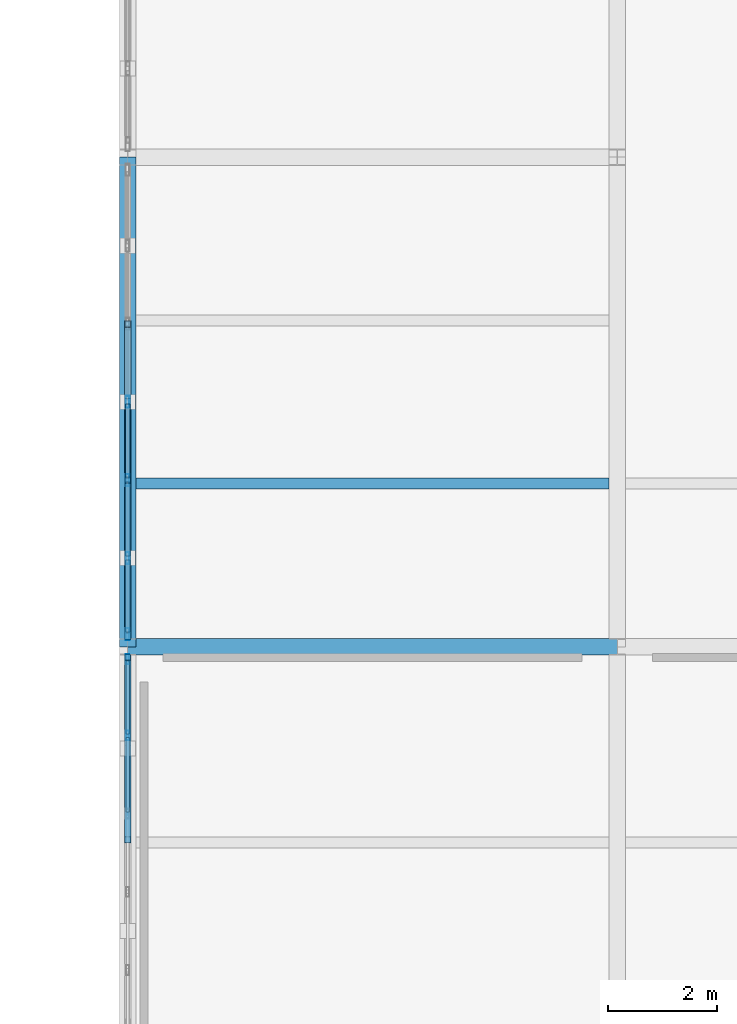
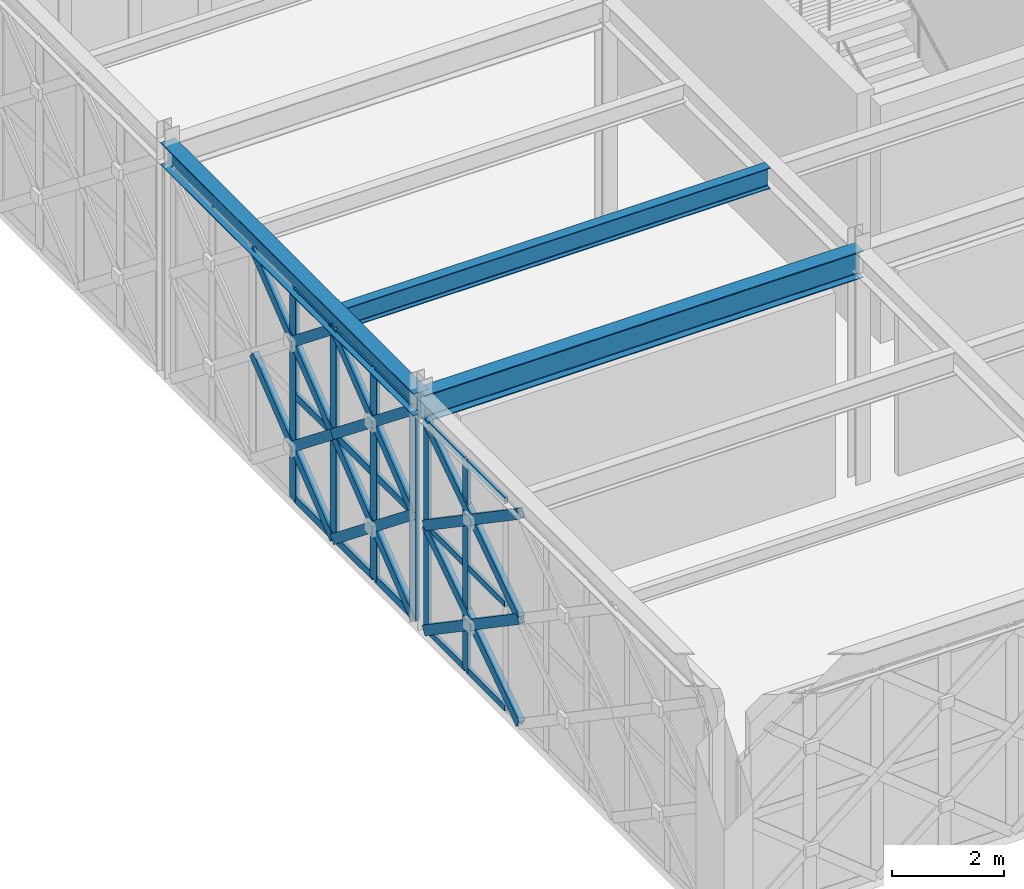
# One storey, part 35 of 155: 37 members, 3 beams, 2 elements without a shape of their own.
"""IFC4 building model written with IfcOpenShell, lengths in metres."""

from ifc_helpers import new_model, si_unit, direction, frame, origin, origin_2d, place, context, subcontext, project, spatial, hollow_rectangle, i_section, extrude, material, material_profile, profile_set, type_object, element, aggregate, save


model = new_model("IFC4")

# Units and contexts
model_context = context("Model", 3, precision=1e-05, world=origin(), true_north=direction((0.0, 1.0)))
body_context = subcontext(model_context, "Body", "Model", "MODEL_VIEW")
ifc_project = project(units=[si_unit("LENGTHUNIT", "METRE"), si_unit("AREAUNIT", "SQUARE_METRE"), si_unit("VOLUMEUNIT", "CUBIC_METRE"), si_unit("PLANEANGLEUNIT", "RADIAN"), si_unit("MASSUNIT", "GRAM", prefix="KILO")], contexts=[model_context])

# Site, building, storey
site_placement = place(None, origin())
site = spatial("IfcSite", under=ifc_project, at=site_placement, CompositionType="ELEMENT")
building_placement = place(site_placement, origin())
building = spatial("IfcBuilding", under=site, at=building_placement, Name="Haizhuo Lancet Aquarium", CompositionType="ELEMENT")
storey_placement = place(building_placement, frame((0.0, 0.0, 10.800048828125)))
storey = spatial("IfcBuildingStorey", under=building, at=storey_placement, Name="L02", CompositionType="ELEMENT", Elevation=10.800048828125)

# Beams
ifc_material_1 = material(Name="Steel S355", Category="steel")
ifc_material_profile_1 = material_profile(ifc_material_1, i_section(OverallWidth=0.300048828125, OverallDepth=0.488037109375, WebThickness=0.010986328125, FlangeThickness=0.01806640625, FilletRadius=0.02392578125, at=origin_2d()), Name="HM 488x300x11x18")
ifc_profile_set_1 = profile_set([ifc_material_profile_1], Name="Steel S355")
beam_type_1 = type_object("IfcBeamType", Name="BM-ST-HM488", PredefinedType="BEAM", material=ifc_profile_set_1)
beam_1_placement = place(storey_placement, frame((-18.0, -45.0, 4.805908203125), z_axis=(0.0, 1.0, 0.0), x_axis=(-1.0, 0.0, 0.0)))
element("IfcBeam", 1, at=beam_1_placement, inside=storey, type_object=beam_type_1, Name="L02 V4 primary girder BM-L02-V4-003", PredefinedType="BEAM", context=body_context, shape_type="SweptSolid", body=[
    extrude(i_section(OverallWidth=0.300048828125, OverallDepth=0.488037109375, WebThickness=0.010986328125, FlangeThickness=0.01806640625, FilletRadius=0.02392578125, at=origin_2d()), origin(), (0.0, 0.0, 1.0), 9.0),
])
ifc_material_profile_2 = material_profile(ifc_material_1, i_section(OverallWidth=0.300048828125, OverallDepth=0.587890625, WebThickness=0.011962890625, FlangeThickness=0.02001953125, FilletRadius=0.02587890625, at=origin_2d()), Name="HM 588x300x12x20")
ifc_profile_set_2 = profile_set([ifc_material_profile_2], Name="Steel S355")
beam_type_2 = type_object("IfcBeamType", Name="BM-ST-HM588", PredefinedType="BEAM", material=ifc_profile_set_2)
beam_2_placement = place(storey_placement, frame((-18.0, -45.0, 4.755859375), z_axis=(1.0, 0.0, 0.0), x_axis=(0.0, 1.0, 0.0)))
element("IfcBeam", 2, at=beam_2_placement, inside=storey, type_object=beam_type_2, Name="L02 V4 primary girder BM-L02-V4-004", PredefinedType="BEAM", context=body_context, shape_type="SweptSolid", body=[
    extrude(i_section(OverallWidth=0.300048828125, OverallDepth=0.587890625, WebThickness=0.011962890625, FlangeThickness=0.02001953125, FilletRadius=0.02587890625, at=origin_2d()), origin(), (0.0, 0.0, 1.0), 9.0),
])

# Curtain wall, members
ifc_material_2 = material(Name="Aluminium 6063-T6", Category="aluminium")
curtain_wall_type_1 = type_object("IfcCurtainWallType", Name="CWO-10060x4560", PredefinedType="NOTDEFINED", material=ifc_material_2)
curtain_wall_1_placement = place(storey_placement, origin())
curtain_wall_1 = element("IfcCurtainWall", 3, at=curtain_wall_1_placement, inside=storey, type_object=curtain_wall_type_1, Name="L02 curtain wall CW-V4-L02-112", PredefinedType="NOTDEFINED")
ifc_material_profile_3 = material_profile(ifc_material_2, hollow_rectangle(XDim=0.06494140625, YDim=0.179931640625, WallThickness=0.00390625, at=origin_2d()), Name="ALU-M 65x180x4")
ifc_profile_set_3 = profile_set([ifc_material_profile_3], Name="Aluminium 6063-T6")
member_type_1 = type_object("IfcMemberType", Name="CW-MUL-1", PredefinedType="MULLION", material=ifc_profile_set_3)
member_1_placement = place(storey_placement, frame((-18.0, -46.632080078125, 0.0), z_axis=(0.0, 0.0, 1.0), x_axis=(-1.0, 0.0, 0.0)))
member_1 = element("IfcMember", 4, at=member_1_placement, type_object=member_type_1, Name="CWO-100x45 mullion 7", PredefinedType="MULLION", context=body_context, shape_type="SweptSolid", body=[
    extrude(hollow_rectangle(XDim=0.06494140625, YDim=0.179931640625, WallThickness=0.00390625, at=origin_2d()), origin(), (0.0, 0.0, 1.0), 4.56201171875),
])
member_2_placement = place(storey_placement, frame((-18.0, -45.22705078125, 0.0), z_axis=(0.0, 0.0, 1.0), x_axis=(-1.0, 0.0, 0.0)))
member_2 = element("IfcMember", 5, at=member_2_placement, type_object=member_type_1, Name="CWO-100x45 mullion 8", PredefinedType="MULLION", context=body_context, shape_type="SweptSolid", body=[
    extrude(hollow_rectangle(XDim=0.06494140625, YDim=0.179931640625, WallThickness=0.00390625, at=origin_2d()), origin(), (0.0, 0.0, 1.0), 4.56201171875),
])

curtain_wall_type_2 = type_object("IfcCurtainWallType", Name="CWO-8610x4560", PredefinedType="NOTDEFINED", material=ifc_material_2)
curtain_wall_2_placement = place(storey_placement, origin())
curtain_wall_2 = element("IfcCurtainWall", 6, at=curtain_wall_2_placement, inside=storey, type_object=curtain_wall_type_2, Name="L02 curtain wall CW-V4-L02-113", PredefinedType="NOTDEFINED")
ifc_material_profile_4 = material_profile(ifc_material_2, hollow_rectangle(XDim=0.074951171875, YDim=0.219970703125, WallThickness=0.0048828125, at=origin_2d()), Name="ALU-M 75x220x5")
ifc_profile_set_4 = profile_set([ifc_material_profile_4], Name="Aluminium 6063-T6")
member_type_2 = type_object("IfcMemberType", Name="CW-MUL-2", PredefinedType="MULLION", material=ifc_profile_set_4)
member_3_placement = place(storey_placement, frame((-18.0, -44.76708984375, 0.0), z_axis=(0.0, 0.0, 1.0), x_axis=(-1.0, 0.0, 0.0)))
member_3 = element("IfcMember", 7, at=member_3_placement, type_object=member_type_2, Name="CWO-86x45 mullion 1", PredefinedType="MULLION", context=body_context, shape_type="SweptSolid", body=[
    extrude(hollow_rectangle(XDim=0.074951171875, YDim=0.219970703125, WallThickness=0.0048828125, at=origin_2d()), origin(), (0.0, 0.0, 1.0), 4.56201171875),
])
member_4_placement = place(storey_placement, frame((-18.0, -43.3701171875, 0.0), z_axis=(0.0, 0.0, 1.0), x_axis=(-1.0, 0.0, 0.0)))
member_4 = element("IfcMember", 8, at=member_4_placement, type_object=member_type_2, Name="CWO-86x45 mullion 2", PredefinedType="MULLION", context=body_context, shape_type="SweptSolid", body=[
    extrude(hollow_rectangle(XDim=0.074951171875, YDim=0.219970703125, WallThickness=0.0048828125, at=origin_2d()), origin(), (0.0, 0.0, 1.0), 4.56201171875),
])
member_5_placement = place(storey_placement, frame((-18.0, -41.93505859375, 0.0), z_axis=(0.0, 0.0, 1.0), x_axis=(-1.0, 0.0, 0.0)))
member_5 = element("IfcMember", 9, at=member_5_placement, type_object=member_type_2, Name="CWO-86x45 mullion 3", PredefinedType="MULLION", context=body_context, shape_type="SweptSolid", body=[
    extrude(hollow_rectangle(XDim=0.074951171875, YDim=0.219970703125, WallThickness=0.0048828125, at=origin_2d()), origin(), (0.0, 0.0, 1.0), 4.56201171875),
])
member_6_placement = place(storey_placement, frame((-18.0, -40.5, 0.0), z_axis=(0.0, 0.0, 1.0), x_axis=(-1.0, 0.0, 0.0)))
member_6 = element("IfcMember", 10, at=member_6_placement, type_object=member_type_2, Name="CWO-86x45 mullion 4", PredefinedType="MULLION", context=body_context, shape_type="SweptSolid", body=[
    extrude(hollow_rectangle(XDim=0.074951171875, YDim=0.219970703125, WallThickness=0.0048828125, at=origin_2d()), origin(), (0.0, 0.0, 1.0), 4.56201171875),
])

# Member
ifc_material_profile_5 = material_profile(ifc_material_2, hollow_rectangle(XDim=0.06494140625, YDim=0.139892578125, WallThickness=0.00390625, at=origin_2d()), Name="ALU-T 65x140x4")
ifc_profile_set_5 = profile_set([ifc_material_profile_5], Name="Aluminium 6063-T6")
member_type_3 = type_object("IfcMemberType", Name="CW-TRN-1", PredefinedType="NOTDEFINED", material=ifc_profile_set_5)
member_7_placement = place(storey_placement, frame((-18.0, -48.037109375, 0.032958984375), z_axis=(0.0, 1.0, 0.0), x_axis=(-1.0, 0.0, 0.0)))
member_7 = element("IfcMember", 11, at=member_7_placement, type_object=member_type_3, Name="CWO-100x45 transom 6.1", ObjectType="TRANSOM", PredefinedType="USERDEFINED", context=body_context, shape_type="SweptSolid", body=[
    extrude(hollow_rectangle(XDim=0.06494140625, YDim=0.139892578125, WallThickness=0.00390625, at=origin_2d()), origin(), (0.0, 0.0, 1.0), 1.3720703125),
])

member_8_placement = place(storey_placement, frame((-18.0, -48.037109375, 2.281005859375), z_axis=(0.0, 1.0, 0.0), x_axis=(-1.0, 0.0, 0.0)))
member_8 = element("IfcMember", 12, at=member_8_placement, type_object=member_type_3, Name="CWO-100x45 transom 6.2", ObjectType="TRANSOM", PredefinedType="USERDEFINED", context=body_context, shape_type="SweptSolid", body=[
    extrude(hollow_rectangle(XDim=0.06494140625, YDim=0.139892578125, WallThickness=0.00390625, at=origin_2d()), origin(), (0.0, 0.0, 1.0), 1.3720703125),
])

member_9_placement = place(storey_placement, frame((-18.0, -48.037109375, 4.529052734375), z_axis=(0.0, 1.0, 0.0), x_axis=(-1.0, 0.0, 0.0)))
member_9 = element("IfcMember", 13, at=member_9_placement, type_object=member_type_3, Name="CWO-100x45 transom 6.3", ObjectType="TRANSOM", PredefinedType="USERDEFINED", context=body_context, shape_type="SweptSolid", body=[
    extrude(hollow_rectangle(XDim=0.06494140625, YDim=0.139892578125, WallThickness=0.00390625, at=origin_2d()), origin(), (0.0, 0.0, 1.0), 1.3720703125),
])

member_10_placement = place(storey_placement, frame((-18.0, -46.60009765625, 0.032958984375), z_axis=(0.0, 1.0, 0.0), x_axis=(-1.0, 0.0, 0.0)))
member_10 = element("IfcMember", 14, at=member_10_placement, type_object=member_type_3, Name="CWO-100x45 transom 7.1", ObjectType="TRANSOM", PredefinedType="USERDEFINED", context=body_context, shape_type="SweptSolid", body=[
    extrude(hollow_rectangle(XDim=0.06494140625, YDim=0.139892578125, WallThickness=0.00390625, at=origin_2d()), origin(), (0.0, 0.0, 1.0), 1.340087890625),
])

member_11_placement = place(storey_placement, frame((-18.0, -46.60009765625, 2.281005859375), z_axis=(0.0, 1.0, 0.0), x_axis=(-1.0, 0.0, 0.0)))
member_11 = element("IfcMember", 15, at=member_11_placement, type_object=member_type_3, Name="CWO-100x45 transom 7.2", ObjectType="TRANSOM", PredefinedType="USERDEFINED", context=body_context, shape_type="SweptSolid", body=[
    extrude(hollow_rectangle(XDim=0.06494140625, YDim=0.139892578125, WallThickness=0.00390625, at=origin_2d()), origin(), (0.0, 0.0, 1.0), 1.340087890625),
])

member_12_placement = place(storey_placement, frame((-18.0, -46.60009765625, 4.529052734375), z_axis=(0.0, 1.0, 0.0), x_axis=(-1.0, 0.0, 0.0)))
member_12 = element("IfcMember", 16, at=member_12_placement, type_object=member_type_3, Name="CWO-100x45 transom 7.3", ObjectType="TRANSOM", PredefinedType="USERDEFINED", context=body_context, shape_type="SweptSolid", body=[
    extrude(hollow_rectangle(XDim=0.06494140625, YDim=0.139892578125, WallThickness=0.00390625, at=origin_2d()), origin(), (0.0, 0.0, 1.0), 1.340087890625),
])

aggregate(curtain_wall_1, [member_1, member_2, member_7, member_8, member_9, member_10, member_11, member_12])

ifc_material_profile_6 = material_profile(ifc_material_2, hollow_rectangle(XDim=0.074951171875, YDim=0.159912109375, WallThickness=0.00390625, at=origin_2d()), Name="ALU-T 75x160x4")
ifc_profile_set_6 = profile_set([ifc_material_profile_6], Name="Aluminium 6063-T6")
member_type_4 = type_object("IfcMemberType", Name="CW-TRN-2", PredefinedType="NOTDEFINED", material=ifc_profile_set_6)
member_13_placement = place(storey_placement, frame((-18.0, -44.72998046875, 0.037841796875), z_axis=(0.0, 1.0, 0.0), x_axis=(-1.0, 0.0, 0.0)))
member_13 = element("IfcMember", 17, at=member_13_placement, type_object=member_type_4, Name="CWO-86x45 transom 1.1", ObjectType="TRANSOM", PredefinedType="USERDEFINED", context=body_context, shape_type="SweptSolid", body=[
    extrude(hollow_rectangle(XDim=0.074951171875, YDim=0.159912109375, WallThickness=0.00390625, at=origin_2d()), origin(), (0.0, 0.0, 1.0), 1.322998046875),
])

member_14_placement = place(storey_placement, frame((-18.0, -44.72998046875, 2.281005859375), z_axis=(0.0, 1.0, 0.0), x_axis=(-1.0, 0.0, 0.0)))
member_14 = element("IfcMember", 18, at=member_14_placement, type_object=member_type_4, Name="CWO-86x45 transom 1.2", ObjectType="TRANSOM", PredefinedType="USERDEFINED", context=body_context, shape_type="SweptSolid", body=[
    extrude(hollow_rectangle(XDim=0.074951171875, YDim=0.159912109375, WallThickness=0.00390625, at=origin_2d()), origin(), (0.0, 0.0, 1.0), 1.322998046875),
])

member_15_placement = place(storey_placement, frame((-18.0, -44.72998046875, 4.52490234375), z_axis=(0.0, 1.0, 0.0), x_axis=(-1.0, 0.0, 0.0)))
member_15 = element("IfcMember", 19, at=member_15_placement, type_object=member_type_4, Name="CWO-86x45 transom 1.3", ObjectType="TRANSOM", PredefinedType="USERDEFINED", context=body_context, shape_type="SweptSolid", body=[
    extrude(hollow_rectangle(XDim=0.074951171875, YDim=0.159912109375, WallThickness=0.00390625, at=origin_2d()), origin(), (0.0, 0.0, 1.0), 1.322998046875),
])

member_16_placement = place(storey_placement, frame((-18.0, -43.3330078125, 0.037841796875), z_axis=(0.0, 1.0, 0.0), x_axis=(-1.0, 0.0, 0.0)))
member_16 = element("IfcMember", 20, at=member_16_placement, type_object=member_type_4, Name="CWO-86x45 transom 2.1", ObjectType="TRANSOM", PredefinedType="USERDEFINED", context=body_context, shape_type="SweptSolid", body=[
    extrude(hollow_rectangle(XDim=0.074951171875, YDim=0.159912109375, WallThickness=0.00390625, at=origin_2d()), origin(), (0.0, 0.0, 1.0), 1.361083984375),
])

member_17_placement = place(storey_placement, frame((-18.0, -43.3330078125, 2.281005859375), z_axis=(0.0, 1.0, 0.0), x_axis=(-1.0, 0.0, 0.0)))
member_17 = element("IfcMember", 21, at=member_17_placement, type_object=member_type_4, Name="CWO-86x45 transom 2.2", ObjectType="TRANSOM", PredefinedType="USERDEFINED", context=body_context, shape_type="SweptSolid", body=[
    extrude(hollow_rectangle(XDim=0.074951171875, YDim=0.159912109375, WallThickness=0.00390625, at=origin_2d()), origin(), (0.0, 0.0, 1.0), 1.361083984375),
])

member_18_placement = place(storey_placement, frame((-18.0, -43.3330078125, 4.52490234375), z_axis=(0.0, 1.0, 0.0), x_axis=(-1.0, 0.0, 0.0)))
member_18 = element("IfcMember", 22, at=member_18_placement, type_object=member_type_4, Name="CWO-86x45 transom 2.3", ObjectType="TRANSOM", PredefinedType="USERDEFINED", context=body_context, shape_type="SweptSolid", body=[
    extrude(hollow_rectangle(XDim=0.074951171875, YDim=0.159912109375, WallThickness=0.00390625, at=origin_2d()), origin(), (0.0, 0.0, 1.0), 1.361083984375),
])

member_19_placement = place(storey_placement, frame((-18.0, -41.89794921875, 0.037841796875), z_axis=(0.0, 1.0, 0.0), x_axis=(-1.0, 0.0, 0.0)))
member_19 = element("IfcMember", 23, at=member_19_placement, type_object=member_type_4, Name="CWO-86x45 transom 3.1", ObjectType="TRANSOM", PredefinedType="USERDEFINED", context=body_context, shape_type="SweptSolid", body=[
    extrude(hollow_rectangle(XDim=0.074951171875, YDim=0.159912109375, WallThickness=0.00390625, at=origin_2d()), origin(), (0.0, 0.0, 1.0), 1.35986328125),
])

member_20_placement = place(storey_placement, frame((-18.0, -41.89794921875, 2.281005859375), z_axis=(0.0, 1.0, 0.0), x_axis=(-1.0, 0.0, 0.0)))
member_20 = element("IfcMember", 24, at=member_20_placement, type_object=member_type_4, Name="CWO-86x45 transom 3.2", ObjectType="TRANSOM", PredefinedType="USERDEFINED", context=body_context, shape_type="SweptSolid", body=[
    extrude(hollow_rectangle(XDim=0.074951171875, YDim=0.159912109375, WallThickness=0.00390625, at=origin_2d()), origin(), (0.0, 0.0, 1.0), 1.35986328125),
])

member_21_placement = place(storey_placement, frame((-18.0, -41.89794921875, 4.52490234375), z_axis=(0.0, 1.0, 0.0), x_axis=(-1.0, 0.0, 0.0)))
member_21 = element("IfcMember", 25, at=member_21_placement, type_object=member_type_4, Name="CWO-86x45 transom 3.3", ObjectType="TRANSOM", PredefinedType="USERDEFINED", context=body_context, shape_type="SweptSolid", body=[
    extrude(hollow_rectangle(XDim=0.074951171875, YDim=0.159912109375, WallThickness=0.00390625, at=origin_2d()), origin(), (0.0, 0.0, 1.0), 1.35986328125),
])

aggregate(curtain_wall_2, [member_3, member_4, member_5, member_6, member_13, member_14, member_15, member_16, member_17, member_18, member_19, member_20, member_21])

# Beam
ifc_material_profile_7 = material_profile(ifc_material_1, i_section(OverallWidth=0.199951171875, OverallDepth=0.449951171875, WebThickness=0.009033203125, FlangeThickness=0.013916015625, FilletRadius=0.01806640625, at=origin_2d()), Name="HN 450x200x9x14")
ifc_profile_set_7 = profile_set([ifc_material_profile_7], Name="Steel S355")
beam_type_3 = type_object("IfcBeamType", Name="JST-ST-HN450", PredefinedType="JOIST", material=ifc_profile_set_7)
beam_3_placement = place(storey_placement, frame((-17.85009765625, -42.0, 4.824951171875), z_axis=(1.0, 0.0, 0.0), x_axis=(0.0, 1.0, 0.0)))
element("IfcBeam", 26, at=beam_3_placement, inside=storey, type_object=beam_type_3, Name="L02 V4 secondary floor joist 3", PredefinedType="JOIST", context=body_context, shape_type="SweptSolid", body=[
    extrude(i_section(OverallWidth=0.199951171875, OverallDepth=0.449951171875, WebThickness=0.009033203125, FlangeThickness=0.013916015625, FilletRadius=0.01806640625, at=origin_2d()), origin(), (0.0, 0.0, 1.0), 8.7001953125),
])

# Members
ifc_material_profile_8 = material_profile(ifc_material_1, hollow_rectangle(XDim=0.1201171875, YDim=0.199951171875, WallThickness=0.008056640625, at=origin_2d()), Name="RHS 120x200x8")
ifc_profile_set_8 = profile_set([ifc_material_profile_8], Name="Steel S355")
member_type_5 = type_object("IfcMemberType", Name="MEM-LB-RHS120x200", PredefinedType="BRACE", material=ifc_profile_set_8)
member_22_placement = place(storey_placement, frame((-18.0, -48.548095703125, 0.0), z_axis=(0.0, 0.826817872277, 0.562469737927), x_axis=(-1.0, 0.0, 0.0)))
element("IfcMember", 27, at=member_22_placement, inside=storey, type_object=member_type_5, Name="Gothic lancet continuous diagonal brace CW-V4-L02-112 5A", PredefinedType="BRACE", context=body_context, shape_type="SweptSolid", body=[
    extrude(hollow_rectangle(XDim=0.1201171875, YDim=0.199951171875, WallThickness=0.008056640625, at=origin_2d()), origin(), (0.0, 0.0, 1.0), 4.055419921875),
])
member_23_placement = place(storey_placement, frame((-18.0, -45.195068359375, 0.0), z_axis=(0.0, -0.82665764484, 0.562705196553), x_axis=(1.0, 0.0, 0.0)))
element("IfcMember", 28, at=member_23_placement, inside=storey, type_object=member_type_5, Name="Gothic lancet split diagonal brace CW-V4-L02-112 5B1", PredefinedType="BRACE", context=body_context, shape_type="SweptSolid", body=[
    extrude(hollow_rectangle(XDim=0.1201171875, YDim=0.199951171875, WallThickness=0.008056640625, at=origin_2d()), origin(), (0.0, 0.0, 1.0), 2.027587890625),
])
member_24_placement = place(storey_placement, frame((-18.0, -46.87109375, 1.140869140625), z_axis=(0.0, -0.82697800142, 0.562234279609), x_axis=(1.0, 0.0, 0.0)))
element("IfcMember", 29, at=member_24_placement, inside=storey, type_object=member_type_5, Name="Gothic lancet split diagonal brace CW-V4-L02-112 5B2", PredefinedType="BRACE", context=body_context, shape_type="SweptSolid", body=[
    extrude(hollow_rectangle(XDim=0.1201171875, YDim=0.199951171875, WallThickness=0.008056640625, at=origin_2d()), origin(), (0.0, 0.0, 1.0), 2.02783203125),
])
member_25_placement = place(storey_placement, frame((-18.0, -48.548095703125, 2.281005859375), z_axis=(0.0, 0.826817872277, 0.562469737927), x_axis=(-1.0, 0.0, 0.0)))
element("IfcMember", 30, at=member_25_placement, inside=storey, type_object=member_type_5, Name="Gothic lancet continuous diagonal brace CW-V4-L02-112 6A", PredefinedType="BRACE", context=body_context, shape_type="SweptSolid", body=[
    extrude(hollow_rectangle(XDim=0.1201171875, YDim=0.199951171875, WallThickness=0.008056640625, at=origin_2d()), origin(), (0.0, 0.0, 1.0), 4.055419921875),
])
member_26_placement = place(storey_placement, frame((-18.0, -45.195068359375, 2.281005859375), z_axis=(0.0, -0.826881693508, 0.562375910705), x_axis=(1.0, 0.0, 0.0)))
element("IfcMember", 31, at=member_26_placement, inside=storey, type_object=member_type_5, Name="Gothic lancet split diagonal brace CW-V4-L02-112 6B1", PredefinedType="BRACE", context=body_context, shape_type="SweptSolid", body=[
    extrude(hollow_rectangle(XDim=0.1201171875, YDim=0.199951171875, WallThickness=0.008056640625, at=origin_2d()), origin(), (0.0, 0.0, 1.0), 2.02685546875),
])
member_27_placement = place(storey_placement, frame((-18.0, -46.87109375, 3.4208984375), z_axis=(0.0, -0.826754087419, 0.562563488804), x_axis=(1.0, 0.0, 0.0)))
element("IfcMember", 32, at=member_27_placement, inside=storey, type_object=member_type_5, Name="Gothic lancet split diagonal brace CW-V4-L02-112 6B2", PredefinedType="BRACE", context=body_context, shape_type="SweptSolid", body=[
    extrude(hollow_rectangle(XDim=0.1201171875, YDim=0.199951171875, WallThickness=0.008056640625, at=origin_2d()), origin(), (0.0, 0.0, 1.0), 2.0283203125),
])
member_28_placement = place(storey_placement, frame((-18.0, -44.804931640625, 0.0), z_axis=(0.0, 0.78284654434, 0.622214824651), x_axis=(-1.0, 0.0, 0.0)))
element("IfcMember", 33, at=member_28_placement, inside=storey, type_object=member_type_5, Name="Gothic lancet continuous diagonal brace CW-V4-L02-113 1A", PredefinedType="BRACE", context=body_context, shape_type="SweptSolid", body=[
    extrude(hollow_rectangle(XDim=0.1201171875, YDim=0.199951171875, WallThickness=0.008056640625, at=origin_2d()), origin(), (0.0, 0.0, 1.0), 3.666015625),
])
member_29_placement = place(storey_placement, frame((-18.0, -41.93505859375, 0.0), z_axis=(0.0, -0.78277501707, 0.622304806868), x_axis=(1.0, 0.0, 0.0)))
element("IfcMember", 34, at=member_29_placement, inside=storey, type_object=member_type_5, Name="Gothic lancet split diagonal brace CW-V4-L02-113 1B1", PredefinedType="BRACE", context=body_context, shape_type="SweptSolid", body=[
    extrude(hollow_rectangle(XDim=0.1201171875, YDim=0.199951171875, WallThickness=0.008056640625, at=origin_2d()), origin(), (0.0, 0.0, 1.0), 1.833251953125),
])
member_30_placement = place(storey_placement, frame((-18.0, -43.3701171875, 1.140869140625), z_axis=(0.0, -0.782918086507, 0.622124802448), x_axis=(1.0, 0.0, 0.0)))
element("IfcMember", 35, at=member_30_placement, inside=storey, type_object=member_type_5, Name="Gothic lancet split diagonal brace CW-V4-L02-113 1B2", PredefinedType="BRACE", context=body_context, shape_type="SweptSolid", body=[
    extrude(hollow_rectangle(XDim=0.1201171875, YDim=0.199951171875, WallThickness=0.008056640625, at=origin_2d()), origin(), (0.0, 0.0, 1.0), 1.832763671875),
])
member_31_placement = place(storey_placement, frame((-18.0, -44.804931640625, 2.281005859375), z_axis=(0.0, 0.78284654434, 0.622214824651), x_axis=(-1.0, 0.0, 0.0)))
element("IfcMember", 36, at=member_31_placement, inside=storey, type_object=member_type_5, Name="Gothic lancet continuous diagonal brace CW-V4-L02-113 2A", PredefinedType="BRACE", context=body_context, shape_type="SweptSolid", body=[
    extrude(hollow_rectangle(XDim=0.1201171875, YDim=0.199951171875, WallThickness=0.008056640625, at=origin_2d()), origin(), (0.0, 0.0, 1.0), 3.666015625),
])
member_32_placement = place(storey_placement, frame((-18.0, -41.93505859375, 2.281005859375), z_axis=(0.0, -0.783034517143, 0.621978251198), x_axis=(1.0, 0.0, 0.0)))
element("IfcMember", 37, at=member_32_placement, inside=storey, type_object=member_type_5, Name="Gothic lancet split diagonal brace CW-V4-L02-113 2B1", PredefinedType="BRACE", context=body_context, shape_type="SweptSolid", body=[
    extrude(hollow_rectangle(XDim=0.1201171875, YDim=0.199951171875, WallThickness=0.008056640625, at=origin_2d()), origin(), (0.0, 0.0, 1.0), 1.832763671875),
])
member_33_placement = place(storey_placement, frame((-18.0, -43.3701171875, 3.4208984375), z_axis=(0.0, -0.782658558378, 0.62245126797), x_axis=(1.0, 0.0, 0.0)))
element("IfcMember", 38, at=member_33_placement, inside=storey, type_object=member_type_5, Name="Gothic lancet split diagonal brace CW-V4-L02-113 2B2", PredefinedType="BRACE", context=body_context, shape_type="SweptSolid", body=[
    extrude(hollow_rectangle(XDim=0.1201171875, YDim=0.199951171875, WallThickness=0.008056640625, at=origin_2d()), origin(), (0.0, 0.0, 1.0), 1.833251953125),
])
member_34_placement = place(storey_placement, frame((-18.0, -41.93505859375, 0.0), z_axis=(0.0, 0.782872325399, 0.622182386543), x_axis=(-1.0, 0.0, 0.0)))
element("IfcMember", 39, at=member_34_placement, inside=storey, type_object=member_type_5, Name="Gothic lancet continuous diagonal brace CW-V4-L02-113 3A", PredefinedType="BRACE", context=body_context, shape_type="SweptSolid", body=[
    extrude(hollow_rectangle(XDim=0.1201171875, YDim=0.199951171875, WallThickness=0.008056640625, at=origin_2d()), origin(), (0.0, 0.0, 1.0), 3.666015625),
])
member_35_placement = place(storey_placement, frame((-18.0, -40.5, 1.140869140625), z_axis=(0.0, -0.782969638769, 0.62205992056), x_axis=(1.0, 0.0, 0.0)))
element("IfcMember", 40, at=member_35_placement, inside=storey, type_object=member_type_5, Name="Gothic lancet split diagonal brace CW-V4-L02-113 3B2", PredefinedType="BRACE", context=body_context, shape_type="SweptSolid", body=[
    extrude(hollow_rectangle(XDim=0.1201171875, YDim=0.199951171875, WallThickness=0.008056640625, at=origin_2d()), origin(), (0.0, 0.0, 1.0), 1.832763671875),
])
member_36_placement = place(storey_placement, frame((-18.0, -41.93505859375, 2.281005859375), z_axis=(0.0, 0.782872325399, 0.622182386543), x_axis=(-1.0, 0.0, 0.0)))
element("IfcMember", 41, at=member_36_placement, inside=storey, type_object=member_type_5, Name="Gothic lancet continuous diagonal brace CW-V4-L02-113 4A", PredefinedType="BRACE", context=body_context, shape_type="SweptSolid", body=[
    extrude(hollow_rectangle(XDim=0.1201171875, YDim=0.199951171875, WallThickness=0.008056640625, at=origin_2d()), origin(), (0.0, 0.0, 1.0), 3.666015625),
])
member_37_placement = place(storey_placement, frame((-18.0, -40.5, 3.4208984375), z_axis=(0.0, -0.782710147658, 0.622386395058), x_axis=(1.0, 0.0, 0.0)))
element("IfcMember", 42, at=member_37_placement, inside=storey, type_object=member_type_5, Name="Gothic lancet split diagonal brace CW-V4-L02-113 4B2", PredefinedType="BRACE", context=body_context, shape_type="SweptSolid", body=[
    extrude(hollow_rectangle(XDim=0.1201171875, YDim=0.199951171875, WallThickness=0.008056640625, at=origin_2d()), origin(), (0.0, 0.0, 1.0), 1.83349609375),
])

save(model, "model.ifc")
